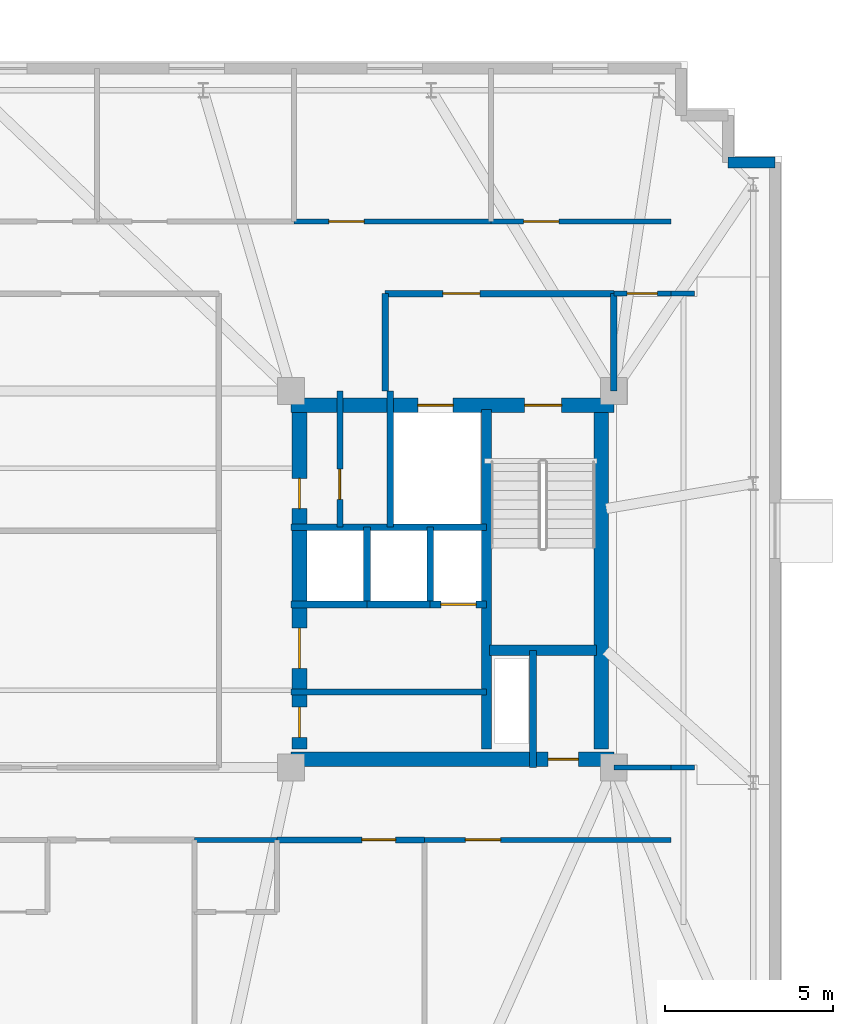
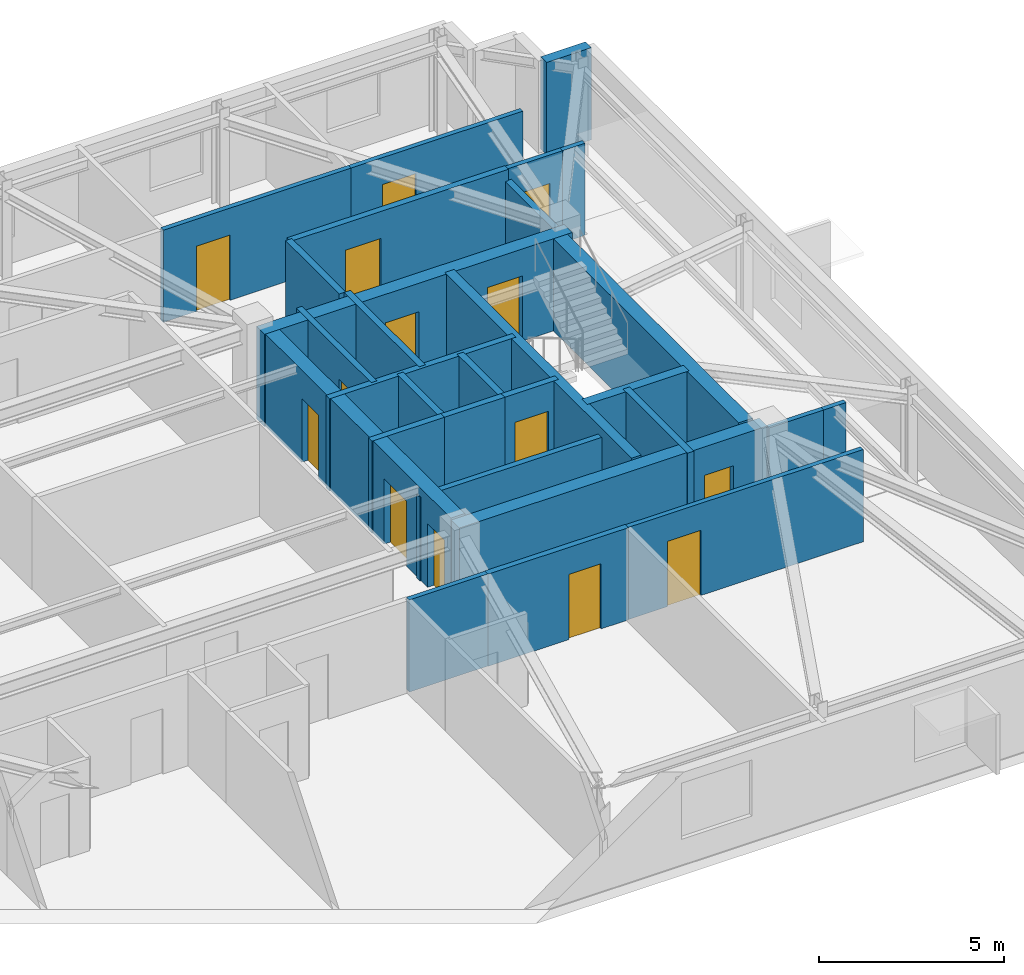
# One storey, part 8 of 12: 29 walls, 14 doors, 14 openings.
"""IFC4 building model written with IfcOpenShell, lengths in metres."""

from ifc_helpers import new_model, si_unit, direction, frame, frame_2d, origin, place, context, subcontext, project, spatial, rectangle, extrude, material, layer, layer_set, type_object, element, fill, save


model = new_model("IFC4")

# Units and contexts
model_context = context("Model", 3, precision=1e-05, world=origin(), true_north=direction((0.0, 1.0)))
body_context = subcontext(model_context, "Body", "Model", "MODEL_VIEW")
ifc_project = project(units=[si_unit("LENGTHUNIT", "METRE"), si_unit("AREAUNIT", "SQUARE_METRE"), si_unit("VOLUMEUNIT", "CUBIC_METRE"), si_unit("PLANEANGLEUNIT", "RADIAN"), si_unit("MASSUNIT", "GRAM", prefix="KILO")], contexts=[model_context])

# Site, building, storey
site_placement = place(None, origin())
site = spatial("IfcSite", under=ifc_project, at=site_placement, CompositionType="ELEMENT")
building_placement = place(site_placement, origin())
building = spatial("IfcBuilding", under=site, at=building_placement, Name="Qobustan Lattice House", CompositionType="ELEMENT")
storey_placement = place(building_placement, frame((0.0, 0.0, 241.699951171875)))
storey = spatial("IfcBuildingStorey", under=building, at=storey_placement, Name="L68", CompositionType="ELEMENT", Elevation=241.699951171875)

# Wall, openings, doors
ifc_material_1 = material(Name="Concrete C50/60", Category="concrete")
ifc_layer_1 = layer(ifc_material_1, 0.43994140625)
ifc_layer_set_1 = layer_set([ifc_layer_1], Name="Concrete C50/60")
wall_type_1 = type_object("IfcWallType", Name="WAL-CORE-440", PredefinedType="SHEAR", material=ifc_layer_set_1)
wall_1_placement = place(storey_placement, frame((9.199951171875, 5.179931640625, 0.0), z_axis=(0.0, 0.0, 1.0), x_axis=(1.0, 0.0, 0.0)))
wall_1 = element("IfcWall", 1, at=wall_1_placement, inside=storey, type_object=wall_type_1, Name="L68 split-core shear wall CE-N", PredefinedType="SHEAR", context=body_context, shape_type="SweptSolid", body=[
    extrude(rectangle(XDim=9.60009765625, YDim=0.43994140625, at=frame_2d((4.800048828125, 0.0))), origin(), (0.0, 0.0, 1.0), 3.0400390625),
])
opening_1_placement = place(wall_1_placement, frame((6.949951171875, 0.0, 0.0)))
opening_1 = element("IfcOpeningElement", 2, at=opening_1_placement, cuts=wall_1, Name="Opening SD-01", PredefinedType="OPENING", context=body_context, shape_type="SweptSolid", body=[
    extrude(rectangle(XDim=1.10009765625, YDim=2.14990234375, at=frame_2d((0.550048828125, 1.074951171875))), frame((0.0, 0.22998046875, 0.0), z_axis=(0.0, -1.0, 0.0), x_axis=(1.0, 0.0, 0.0)), (0.0, 0.0, 1.0), 0.4599609375),
])
opening_2_placement = place(wall_1_placement, frame((3.77490234375, 0.0, 0.0)))
opening_2 = element("IfcOpeningElement", 3, at=opening_2_placement, cuts=wall_1, Name="Opening LD-01", PredefinedType="OPENING", context=body_context, shape_type="SweptSolid", body=[
    extrude(rectangle(XDim=1.050048828125, YDim=2.10009765625, at=frame_2d((0.52490234375, 1.050048828125))), frame((0.0, 0.22998046875, 0.0), z_axis=(0.0, -1.0, 0.0), x_axis=(1.0, 0.0, 0.0)), (0.0, 0.0, 1.0), 0.4599609375),
])
ifc_material_2 = material(Name="Persian walnut timber and steel frame door", Category="steel")
door_type_1 = type_object("IfcDoorType", Name="DOR-LIFT-LD-1050x2100", OperationType="NOTDEFINED", PredefinedType="DOOR", material=ifc_material_2)
door_1_placement = place(opening_2_placement, origin())
door_1 = element("IfcDoor", 4, at=door_1_placement, inside=storey, type_object=door_type_1, Name="L68 firefighting lift FF-E landing door", OperationType="DOUBLE_DOOR_SLIDING", OverallHeight=2.10009765625, OverallWidth=1.050048828125, PredefinedType="DOOR", context=body_context, shape_type="SweptSolid", body=[
    extrude(rectangle(XDim=1.050048828125, YDim=2.10009765625, at=frame_2d((0.52490234375, 1.050048828125))), frame((0.0, 0.02490234375, 0.0), z_axis=(0.0, -1.0, 0.0), x_axis=(1.0, 0.0, 0.0)), (0.0, 0.0, 1.0), 0.050048828125),
])
fill(opening_2, door_1)
ifc_material_3 = material(Name="Persian walnut timber and steel frame door", Category="steel")
door_type_2 = type_object("IfcDoorType", Name="DOR-STAIR-FD-1100x2150", OperationType="NOTDEFINED", PredefinedType="DOOR", material=ifc_material_3)
door_2_placement = place(opening_1_placement, origin())
door_2 = element("IfcDoor", 5, at=door_2_placement, inside=storey, type_object=door_type_2, Name="L68 exit stair ST-E1 fire door", OperationType="SINGLE_SWING_LEFT", OverallHeight=2.14990234375, OverallWidth=1.10009765625, PredefinedType="DOOR", context=body_context, shape_type="SweptSolid", body=[
    extrude(rectangle(XDim=1.10009765625, YDim=2.14990234375, at=frame_2d((0.550048828125, 1.074951171875))), frame((0.0, 0.02490234375, 0.0), z_axis=(0.0, -1.0, 0.0), x_axis=(1.0, 0.0, 0.0)), (0.0, 0.0, 1.0), 0.050048828125),
])
fill(opening_1, door_2)

# Wall, opening, door
wall_2_placement = place(storey_placement, frame((9.199951171875, -5.35009765625, 0.0), z_axis=(0.0, 0.0, 1.0), x_axis=(1.0, 0.0, 0.0)))
wall_2 = element("IfcWall", 6, at=wall_2_placement, inside=storey, type_object=wall_type_1, Name="L68 split-core shear wall CE-S", PredefinedType="SHEAR", context=body_context, shape_type="SweptSolid", body=[
    extrude(rectangle(XDim=9.60009765625, YDim=0.43994140625, at=frame_2d((4.800048828125, 0.0))), origin(), (0.0, 0.0, 1.0), 3.0400390625),
])
opening_3_placement = place(wall_2_placement, frame((7.64990234375, 0.0, 0.0)))
opening_3 = element("IfcOpeningElement", 7, at=opening_3_placement, cuts=wall_2, Name="Opening RD-01", PredefinedType="OPENING", context=body_context, shape_type="SweptSolid", body=[
    extrude(rectangle(XDim=0.89990234375, YDim=2.10009765625, at=frame_2d((0.449951171875, 1.050048828125))), frame((0.0, 0.22998046875, 0.0), z_axis=(0.0, -1.0, 0.0), x_axis=(1.0, 0.0, 0.0)), (0.0, 0.0, 1.0), 0.4599609375),
])
ifc_material_4 = material(Name="Persian walnut timber and steel frame door", Category="steel")
door_type_3 = type_object("IfcDoorType", Name="DOR-RISER-FD-900x2100", OperationType="NOTDEFINED", PredefinedType="DOOR", material=ifc_material_4)
door_3_placement = place(opening_3_placement, origin())
door_3 = element("IfcDoor", 8, at=door_3_placement, inside=storey, type_object=door_type_3, Name="L68 core service riser access door E", OperationType="SINGLE_SWING_LEFT", OverallHeight=2.10009765625, OverallWidth=0.89990234375, PredefinedType="DOOR", context=body_context, shape_type="SweptSolid", body=[
    extrude(rectangle(XDim=0.89990234375, YDim=2.10009765625, at=frame_2d((0.449951171875, 1.050048828125))), frame((0.0, 0.02490234375, 0.0), z_axis=(0.0, -1.0, 0.0), x_axis=(1.0, 0.0, 0.0)), (0.0, 0.0, 1.0), 0.050048828125),
])
fill(opening_3, door_3)

# Wall, openings, doors
wall_3_placement = place(storey_placement, frame((9.449951171875, -5.050048828125, 0.0), z_axis=(0.0, 0.0, 1.0), x_axis=(0.0, 1.0, 0.0)))
wall_3 = element("IfcWall", 9, at=wall_3_placement, inside=storey, type_object=wall_type_1, Name="L68 split-core shear wall CE-W", PredefinedType="SHEAR", context=body_context, shape_type="SweptSolid", body=[
    extrude(rectangle(XDim=10.10009765625, YDim=0.43994140625, at=frame_2d((5.050048828125, 0.0))), origin(), (0.0, 0.0, 1.0), 3.0400390625),
])
opening_4_placement = place(wall_3_placement, frame((7.14990234375, 0.0, 0.0)))
opening_4 = element("IfcOpeningElement", 10, at=opening_4_placement, cuts=wall_3, Name="Opening RD-01", PredefinedType="OPENING", context=body_context, shape_type="SweptSolid", body=[
    extrude(rectangle(XDim=0.89990234375, YDim=2.10009765625, at=frame_2d((0.449951171875, 1.050048828125))), frame((0.0, 0.22998046875, 0.0), z_axis=(0.0, -1.0, 0.0), x_axis=(1.0, 0.0, 0.0)), (0.0, 0.0, 1.0), 0.4599609375),
])
opening_5_placement = place(wall_3_placement, frame((2.39990234375, 0.0, 0.0)))
opening_5 = element("IfcOpeningElement", 11, at=opening_5_placement, cuts=wall_3, Name="Opening FD-01", PredefinedType="OPENING", context=body_context, shape_type="SweptSolid", body=[
    extrude(rectangle(XDim=1.199951171875, YDim=2.14990234375, at=frame_2d((0.60009765625, 1.074951171875))), frame((0.0, 0.22998046875, 0.0), z_axis=(0.0, -1.0, 0.0), x_axis=(1.0, 0.0, 0.0)), (0.0, 0.0, 1.0), 0.4599609375),
])
opening_6_placement = place(wall_3_placement, frame((0.35009765625, 0.0, 0.0)))
opening_6 = element("IfcOpeningElement", 12, at=opening_6_placement, cuts=wall_3, Name="Opening RD-01", PredefinedType="OPENING", context=body_context, shape_type="SweptSolid", body=[
    extrude(rectangle(XDim=0.89990234375, YDim=2.10009765625, at=frame_2d((0.449951171875, 1.050048828125))), frame((0.0, 0.22998046875, 0.0), z_axis=(0.0, -1.0, 0.0), x_axis=(1.0, 0.0, 0.0)), (0.0, 0.0, 1.0), 0.4599609375),
])
ifc_material_5 = material(Name="Persian walnut timber and steel frame door", Category="steel")
door_type_4 = type_object("IfcDoorType", Name="DOR-LOBBY-FD-1200x2150", OperationType="NOTDEFINED", PredefinedType="DOOR", material=ifc_material_5)
door_4_placement = place(opening_5_placement, origin())
door_4 = element("IfcDoor", 13, at=door_4_placement, inside=storey, type_object=door_type_4, Name="L68 East passenger lift lobby fire door", OperationType="SINGLE_SWING_RIGHT", OverallHeight=2.14990234375, OverallWidth=1.199951171875, PredefinedType="DOOR", context=body_context, shape_type="SweptSolid", body=[
    extrude(rectangle(XDim=1.199951171875, YDim=2.14990234375, at=frame_2d((0.60009765625, 1.074951171875))), frame((0.0, 0.02490234375, 0.0), z_axis=(0.0, -1.0, 0.0), x_axis=(1.0, 0.0, 0.0)), (0.0, 0.0, 1.0), 0.050048828125),
])
fill(opening_5, door_4)
door_5_placement = place(opening_4_placement, origin())
door_5 = element("IfcDoor", 14, at=door_5_placement, inside=storey, type_object=door_type_3, Name="L68 Print and mail closet fire door", OperationType="SINGLE_SWING_LEFT", OverallHeight=2.10009765625, OverallWidth=0.89990234375, PredefinedType="DOOR", context=body_context, shape_type="SweptSolid", body=[
    extrude(rectangle(XDim=0.89990234375, YDim=2.10009765625, at=frame_2d((0.449951171875, 1.050048828125))), frame((0.0, 0.02490234375, 0.0), z_axis=(0.0, -1.0, 0.0), x_axis=(1.0, 0.0, 0.0)), (0.0, 0.0, 1.0), 0.050048828125),
])
fill(opening_4, door_5)
door_6_placement = place(opening_6_placement, origin())
door_6 = element("IfcDoor", 15, at=door_6_placement, inside=storey, type_object=door_type_3, Name="L68 Graduate seminar alcove fire door", OperationType="SINGLE_SWING_LEFT", OverallHeight=2.10009765625, OverallWidth=0.89990234375, PredefinedType="DOOR", context=body_context, shape_type="SweptSolid", body=[
    extrude(rectangle(XDim=0.89990234375, YDim=2.10009765625, at=frame_2d((0.449951171875, 1.050048828125))), frame((0.0, 0.02490234375, 0.0), z_axis=(0.0, -1.0, 0.0), x_axis=(1.0, 0.0, 0.0)), (0.0, 0.0, 1.0), 0.050048828125),
])
fill(opening_6, door_6)

# Walls
wall_4_placement = place(storey_placement, frame((18.429931640625, -5.050048828125, 0.0), z_axis=(0.0, 0.0, 1.0), x_axis=(0.0, 1.0, 0.0)))
element("IfcWall", 16, at=wall_4_placement, inside=storey, type_object=wall_type_1, Name="L68 split-core shear wall CE-E", PredefinedType="SHEAR", context=body_context, shape_type="SweptSolid", body=[
    extrude(rectangle(XDim=10.10009765625, YDim=0.43994140625, at=frame_2d((5.050048828125, 0.0))), origin(), (0.0, 0.0, 1.0), 3.0400390625),
])
ifc_material_6 = material(Name="Concrete C50/60", Category="concrete")
ifc_layer_2 = layer(ifc_material_6, 0.280029296875)
ifc_layer_set_2 = layer_set([ifc_layer_2], Name="Concrete C50/60")
wall_type_2 = type_object("IfcWallType", Name="WAL-CORE-SPINE-280", PredefinedType="SHEAR", material=ifc_layer_set_2)
wall_5_placement = place(storey_placement, frame((15.02001953125, -5.050048828125, 0.0), z_axis=(0.0, 0.0, 1.0), x_axis=(0.0, 1.0, 0.0)))
element("IfcWall", 17, at=wall_5_placement, inside=storey, type_object=wall_type_2, Name="L68 split-core shear wall CE-M", PredefinedType="SHEAR", context=body_context, shape_type="SweptSolid", body=[
    extrude(rectangle(XDim=10.10009765625, YDim=0.300048828125, at=frame_2d((5.050048828125, 0.0))), origin(), (0.0, 0.0, 1.0), 3.0400390625),
])
wall_6_placement = place(storey_placement, frame((15.10009765625, -2.110107421875, 0.0), z_axis=(0.0, 0.0, 1.0), x_axis=(1.0, 0.0, 0.0)))
element("IfcWall", 18, at=wall_6_placement, inside=storey, type_object=wall_type_2, Name="L68 split-core shear wall CE-ST", PredefinedType="SHEAR", context=body_context, shape_type="SweptSolid", body=[
    extrude(rectangle(XDim=3.179931640625, YDim=0.300048828125, at=frame_2d((1.58984375, 0.0))), origin(), (0.0, 0.0, 1.0), 3.0400390625),
])
ifc_material_7 = material(Name="Precast concrete C40/50", Category="concrete")
ifc_layer_3 = layer(ifc_material_7, 0.320068359375)
ifc_layer_set_3 = layer_set([ifc_layer_3], Name="Precast concrete C40/50")
wall_type_3 = type_object("IfcWallType", Name="WAL-EXT-STONE-320", PredefinedType="SOLIDWALL", material=ifc_layer_set_3)
wall_7_placement = place(storey_placement, frame((22.199951171875, 12.39990234375, 0.0), z_axis=(0.0, 0.0, 1.0), x_axis=(1.0, 0.0, 0.0)))
element("IfcWall", 19, at=wall_7_placement, inside=storey, type_object=wall_type_3, Name="L68 exterior limestone-clad wall 14", PredefinedType="SOLIDWALL", context=body_context, shape_type="SweptSolid", body=[
    extrude(rectangle(XDim=1.400146484375, YDim=0.320068359375, at=frame_2d((0.7001953125, 0.0))), origin(), (0.0, 0.0, 1.0), 3.0400390625),
])

# Wall, opening, door
ifc_material_8 = material(Name="Gypsum fireboard acoustic partition", Category="gypsum")
ifc_layer_4 = layer(ifc_material_8, 0.179931640625)
ifc_layer_set_4 = layer_set([ifc_layer_4], Name="Gypsum fireboard acoustic partition")
wall_type_4 = type_object("IfcWallType", Name="WAL-FIRE-180", PredefinedType="PARTITIONING", material=ifc_layer_set_4)
wall_8_placement = place(storey_placement, frame((10.64990234375, 1.550048828125, 0.0), z_axis=(0.0, 0.0, 1.0), x_axis=(0.0, 1.0, 0.0)))
wall_8 = element("IfcWall", 20, at=wall_8_placement, inside=storey, type_object=wall_type_4, Name="L68 interior partition 18", PredefinedType="PARTITIONING", context=body_context, shape_type="SweptSolid", body=[
    extrude(rectangle(XDim=4.050048828125, YDim=0.179931640625, at=frame_2d((2.02490234375, 0.0))), origin(), (0.0, 0.0, 1.0), 3.0400390625),
])
opening_7_placement = place(wall_8_placement, frame((0.828857421875, 0.0, 0.0)))
opening_7 = element("IfcOpeningElement", 21, at=opening_7_placement, cuts=wall_8, Name="Opening RD-01", PredefinedType="OPENING", context=body_context, shape_type="SweptSolid", body=[
    extrude(rectangle(XDim=0.89990234375, YDim=2.10009765625, at=frame_2d((0.449951171875, 1.050048828125))), frame((0.0, 0.099853515625, 0.0), z_axis=(0.0, -1.0, 0.0), x_axis=(1.0, 0.0, 0.0)), (0.0, 0.0, 1.0), 0.199951171875),
])
door_7_placement = place(opening_7_placement, origin())
door_7 = element("IfcDoor", 22, at=door_7_placement, inside=storey, type_object=door_type_3, Name="L68 Print and mail closet to Core utility store door", OperationType="SINGLE_SWING_RIGHT", OverallHeight=2.10009765625, OverallWidth=0.89990234375, PredefinedType="DOOR", context=body_context, shape_type="SweptSolid", body=[
    extrude(rectangle(XDim=0.89990234375, YDim=2.10009765625, at=frame_2d((0.449951171875, 1.050048828125))), frame((0.0, 0.02490234375, 0.0), z_axis=(0.0, -1.0, 0.0), x_axis=(1.0, 0.0, 0.0)), (0.0, 0.0, 1.0), 0.050048828125),
])
fill(opening_7, door_7)

# Wall
wall_9_placement = place(storey_placement, frame((9.199951171875, -3.35009765625, 0.0), z_axis=(0.0, 0.0, 1.0), x_axis=(1.0, 0.0, 0.0)))
element("IfcWall", 23, at=wall_9_placement, inside=storey, type_object=wall_type_4, Name="L68 interior partition 20", PredefinedType="PARTITIONING", context=body_context, shape_type="SweptSolid", body=[
    extrude(rectangle(XDim=5.820068359375, YDim=0.179931640625, at=frame_2d((2.91015625, 0.0))), origin(), (0.0, 0.0, 1.0), 2.755126953125),
])

# Wall, opening, door
wall_10_placement = place(storey_placement, frame((13.1669921875, -7.75, 0.0), z_axis=(0.0, 0.0, 1.0), x_axis=(-1.0, 0.0, 0.0)))
wall_10 = element("IfcWall", 24, at=wall_10_placement, inside=storey, type_object=wall_type_4, Name="L68 interior partition 56", PredefinedType="PARTITIONING", context=body_context, shape_type="SweptSolid", body=[
    extrude(rectangle(XDim=4.384033203125, YDim=0.179931640625, at=frame_2d((2.19189453125, 0.0))), origin(), (0.0, 0.0, 1.0), 3.0400390625),
])
opening_8_placement = place(wall_10_placement, frame((0.85791015625, 0.0, 0.0)))
opening_8 = element("IfcOpeningElement", 25, at=opening_8_placement, cuts=wall_10, Name="Opening FD-02", PredefinedType="OPENING", context=body_context, shape_type="SweptSolid", body=[
    extrude(rectangle(XDim=1.0, YDim=2.14990234375, at=frame_2d((0.5, 1.074951171875))), frame((0.0, 0.099853515625, 0.0), z_axis=(0.0, -1.0, 0.0), x_axis=(1.0, 0.0, 0.0)), (0.0, 0.0, 1.0), 0.199951171875),
])
ifc_material_9 = material(Name="Persian walnut timber and steel frame door", Category="steel")
door_type_5 = type_object("IfcDoorType", Name="DOR-UNIT-FD-1000x2150", OperationType="NOTDEFINED", PredefinedType="DOOR", material=ifc_material_9)
door_8_placement = place(opening_8_placement, origin())
door_8 = element("IfcDoor", 26, at=door_8_placement, inside=storey, type_object=door_type_5, Name="L68 South-east floor corridor to Kitchenette and studio apartment L68-S5 door", OperationType="SINGLE_SWING_LEFT", OverallHeight=2.14990234375, OverallWidth=1.0, PredefinedType="DOOR", context=body_context, shape_type="SweptSolid", body=[
    extrude(rectangle(XDim=1.0, YDim=2.14990234375, at=frame_2d((0.5, 1.074951171875))), frame((0.0, 0.02490234375, 0.0), z_axis=(0.0, -1.0, 0.0), x_axis=(1.0, 0.0, 0.0)), (0.0, 0.0, 1.0), 0.050048828125),
])
fill(opening_8, door_8)

ifc_material_10 = material(Name="Acoustic twin-stud gypsum partition", Category="gypsum")
ifc_layer_5 = layer(ifc_material_10, 0.14990234375)
ifc_layer_set_5 = layer_set([ifc_layer_5], Name="Acoustic twin-stud gypsum partition")
wall_type_5 = type_object("IfcWallType", Name="WAL-PART-150", PredefinedType="PARTITIONING", material=ifc_layer_set_5)
wall_11_placement = place(storey_placement, frame((20.5, 8.5, 0.0), z_axis=(0.0, 0.0, 1.0), x_axis=(-1.0, 0.0, 0.0)))
wall_11 = element("IfcWall", 27, at=wall_11_placement, inside=storey, type_object=wall_type_5, Name="L68 interior partition 36", PredefinedType="PARTITIONING", context=body_context, shape_type="SweptSolid", body=[
    extrude(rectangle(XDim=1.699951171875, YDim=0.14990234375, at=frame_2d((0.85009765625, 0.0))), origin(), (0.0, 0.0, 1.0), 3.0400390625),
])
opening_9_placement = place(wall_11_placement, frame((0.39990234375, 0.0, 0.0)))
opening_9 = element("IfcOpeningElement", 28, at=opening_9_placement, cuts=wall_11, Name="Opening WD-01", PredefinedType="OPENING", context=body_context, shape_type="SweptSolid", body=[
    extrude(rectangle(XDim=0.89990234375, YDim=2.10009765625, at=frame_2d((0.449951171875, 1.050048828125))), frame((0.0, 0.0849609375, 0.0), z_axis=(0.0, -1.0, 0.0), x_axis=(1.0, 0.0, 0.0)), (0.0, 0.0, 1.0), 0.169921875),
])
ifc_material_11 = material(Name="Persian walnut timber and steel frame door", Category="steel")
door_type_6 = type_object("IfcDoorType", Name="DOR-WET-900x2100", OperationType="NOTDEFINED", PredefinedType="DOOR", material=ifc_material_11)
door_9_placement = place(opening_9_placement, origin())
door_9 = element("IfcDoor", 29, at=door_9_placement, inside=storey, type_object=door_type_6, Name="L68 North-east floor corridor to Communal study lounge door", OperationType="SINGLE_SWING_LEFT", OverallHeight=2.10009765625, OverallWidth=0.89990234375, PredefinedType="DOOR", context=body_context, shape_type="SweptSolid", body=[
    extrude(rectangle(XDim=0.89990234375, YDim=2.10009765625, at=frame_2d((0.449951171875, 1.050048828125))), frame((0.0, 0.02490234375, 0.0), z_axis=(0.0, -1.0, 0.0), x_axis=(1.0, 0.0, 0.0)), (0.0, 0.0, 1.0), 0.050048828125),
])
fill(opening_9, door_9)

# Wall
wall_12_placement = place(storey_placement, frame((21.199951171875, 8.5, 0.0), z_axis=(0.0, 0.0, 1.0), x_axis=(-1.0, 0.0, 0.0)))
element("IfcWall", 30, at=wall_12_placement, inside=storey, type_object=wall_type_5, Name="L68 interior partition 37", PredefinedType="PARTITIONING", context=body_context, shape_type="SweptSolid", body=[
    extrude(rectangle(XDim=0.699951171875, YDim=0.14990234375, at=frame_2d((0.35009765625, 0.0))), origin(), (0.0, 0.0, 1.0), 3.0400390625),
])

# Wall, opening, door
wall_13_placement = place(storey_placement, frame((9.285888671875, 10.64990234375, 0.0), z_axis=(0.0, 0.0, 1.0), x_axis=(1.0, 0.0, 0.0)))
wall_13 = element("IfcWall", 31, at=wall_13_placement, inside=storey, type_object=wall_type_5, Name="L68 interior partition 40", PredefinedType="PARTITIONING", context=body_context, shape_type="SweptSolid", body=[
    extrude(rectangle(XDim=5.857177734375, YDim=0.14990234375, at=frame_2d((2.9287109375, 0.0))), origin(), (0.0, 0.0, 1.0), 3.0400390625),
])
opening_10_placement = place(wall_13_placement, frame((1.035888671875, 0.0, 0.0)))
opening_10 = element("IfcOpeningElement", 32, at=opening_10_placement, cuts=wall_13, Name="Opening ID-02", PredefinedType="OPENING", context=body_context, shape_type="SweptSolid", body=[
    extrude(rectangle(XDim=1.050048828125, YDim=2.14990234375, at=frame_2d((0.52490234375, 1.074951171875))), frame((0.0, 0.0849609375, 0.0), z_axis=(0.0, -1.0, 0.0), x_axis=(1.0, 0.0, 0.0)), (0.0, 0.0, 1.0), 0.169921875),
])
ifc_material_12 = material(Name="Persian walnut timber and steel frame door", Category="steel")
door_type_7 = type_object("IfcDoorType", Name="DOR-STUDY-1050x2150", OperationType="NOTDEFINED", PredefinedType="DOOR", material=ifc_material_12)
door_10_placement = place(opening_10_placement, origin())
door_10 = element("IfcDoor", 33, at=door_10_placement, inside=storey, type_object=door_type_7, Name="L68 North-east floor corridor to Focus study room N6 door", OperationType="SINGLE_SWING_RIGHT", OverallHeight=2.14990234375, OverallWidth=1.050048828125, PredefinedType="DOOR", context=body_context, shape_type="SweptSolid", body=[
    extrude(rectangle(XDim=1.050048828125, YDim=2.14990234375, at=frame_2d((0.52490234375, 1.074951171875))), frame((0.0, 0.02490234375, 0.0), z_axis=(0.0, -1.0, 0.0), x_axis=(1.0, 0.0, 0.0)), (0.0, 0.0, 1.0), 0.050048828125),
])
fill(opening_10, door_10)

wall_14_placement = place(storey_placement, frame((15.14306640625, 10.64990234375, 0.0), z_axis=(0.0, 0.0, 1.0), x_axis=(1.0, 0.0, 0.0)))
wall_14 = element("IfcWall", 34, at=wall_14_placement, inside=storey, type_object=wall_type_5, Name="L68 interior partition 41", PredefinedType="PARTITIONING", context=body_context, shape_type="SweptSolid", body=[
    extrude(rectangle(XDim=5.35693359375, YDim=0.14990234375, at=frame_2d((2.678466796875, 0.0))), origin(), (0.0, 0.0, 1.0), 3.0400390625),
])
opening_11_placement = place(wall_14_placement, frame((0.973388671875, 0.0, 0.0)))
opening_11 = element("IfcOpeningElement", 35, at=opening_11_placement, cuts=wall_14, Name="Opening ID-02", PredefinedType="OPENING", context=body_context, shape_type="SweptSolid", body=[
    extrude(rectangle(XDim=1.050048828125, YDim=2.14990234375, at=frame_2d((0.52490234375, 1.074951171875))), frame((0.0, 0.0849609375, 0.0), z_axis=(0.0, -1.0, 0.0), x_axis=(1.0, 0.0, 0.0)), (0.0, 0.0, 1.0), 0.169921875),
])
door_11_placement = place(opening_11_placement, origin())
door_11 = element("IfcDoor", 36, at=door_11_placement, inside=storey, type_object=door_type_7, Name="L68 North-east floor corridor to Focus study room N7 door", OperationType="SINGLE_SWING_LEFT", OverallHeight=2.14990234375, OverallWidth=1.050048828125, PredefinedType="DOOR", context=body_context, shape_type="SweptSolid", body=[
    extrude(rectangle(XDim=1.050048828125, YDim=2.14990234375, at=frame_2d((0.52490234375, 1.074951171875))), frame((0.0, 0.02490234375, 0.0), z_axis=(0.0, -1.0, 0.0), x_axis=(1.0, 0.0, 0.0)), (0.0, 0.0, 1.0), 0.050048828125),
])
fill(opening_11, door_11)

# Walls
wall_15_placement = place(storey_placement, frame((18.800048828125, -5.60009765625, 0.0), z_axis=(0.0, 0.0, 1.0), x_axis=(1.0, 0.0, 0.0)))
element("IfcWall", 37, at=wall_15_placement, inside=storey, type_object=wall_type_5, Name="L68 interior partition 52", PredefinedType="PARTITIONING", context=body_context, shape_type="SweptSolid", body=[
    extrude(rectangle(XDim=1.699951171875, YDim=0.14990234375, at=frame_2d((0.85009765625, 0.0))), origin(), (0.0, 0.0, 1.0), 3.0400390625),
])
wall_16_placement = place(storey_placement, frame((20.5, -5.60009765625, 0.0), z_axis=(0.0, 0.0, 1.0), x_axis=(1.0, 0.0, 0.0)))
element("IfcWall", 38, at=wall_16_placement, inside=storey, type_object=wall_type_5, Name="L68 interior partition 53", PredefinedType="PARTITIONING", context=body_context, shape_type="SweptSolid", body=[
    extrude(rectangle(XDim=0.699951171875, YDim=0.14990234375, at=frame_2d((0.35009765625, 0.0))), origin(), (0.0, 0.0, 1.0), 3.0400390625),
])

# Wall, opening, door
wall_17_placement = place(storey_placement, frame((20.5, -7.75, 0.0), z_axis=(0.0, 0.0, 1.0), x_axis=(-1.0, 0.0, 0.0)))
wall_17 = element("IfcWall", 39, at=wall_17_placement, inside=storey, type_object=wall_type_5, Name="L68 interior partition 58", PredefinedType="PARTITIONING", context=body_context, shape_type="SweptSolid", body=[
    extrude(rectangle(XDim=7.3330078125, YDim=0.14990234375, at=frame_2d((3.66650390625, 0.0))), origin(), (0.0, 0.0, 1.0), 3.0400390625),
])
opening_12_placement = place(wall_17_placement, frame((5.0625, 0.0, 0.0)))
opening_12 = element("IfcOpeningElement", 40, at=opening_12_placement, cuts=wall_17, Name="Opening ID-02", PredefinedType="OPENING", context=body_context, shape_type="SweptSolid", body=[
    extrude(rectangle(XDim=1.050048828125, YDim=2.14990234375, at=frame_2d((0.52490234375, 1.074951171875))), frame((0.0, 0.0849609375, 0.0), z_axis=(0.0, -1.0, 0.0), x_axis=(1.0, 0.0, 0.0)), (0.0, 0.0, 1.0), 0.169921875),
])
door_12_placement = place(opening_12_placement, origin())
door_12 = element("IfcDoor", 41, at=door_12_placement, inside=storey, type_object=door_type_7, Name="L68 South-east floor corridor to Group study room door", OperationType="SINGLE_SWING_RIGHT", OverallHeight=2.14990234375, OverallWidth=1.050048828125, PredefinedType="DOOR", context=body_context, shape_type="SweptSolid", body=[
    extrude(rectangle(XDim=1.050048828125, YDim=2.14990234375, at=frame_2d((0.52490234375, 1.074951171875))), frame((0.0, 0.02490234375, 0.0), z_axis=(0.0, -1.0, 0.0), x_axis=(1.0, 0.0, 0.0)), (0.0, 0.0, 1.0), 0.050048828125),
])
fill(opening_12, door_12)

ifc_material_13 = material(Name="Two-hour gypsum fireboard acoustic partition", Category="gypsum")
ifc_layer_6 = layer(ifc_material_13, 0.199951171875)
ifc_layer_set_6 = layer_set([ifc_layer_6], Name="Two-hour gypsum fireboard acoustic partition")
wall_type_6 = type_object("IfcWallType", Name="WAL-PROT-200", PredefinedType="PARTITIONING", material=ifc_layer_set_6)
wall_18_placement = place(storey_placement, frame((18.800048828125, 8.5, 0.0), z_axis=(0.0, 0.0, 1.0), x_axis=(-1.0, 0.0, 0.0)))
wall_18 = element("IfcWall", 42, at=wall_18_placement, inside=storey, type_object=wall_type_6, Name="L68 interior partition 15", PredefinedType="PARTITIONING", context=body_context, shape_type="SweptSolid", body=[
    extrude(rectangle(XDim=6.800048828125, YDim=0.199951171875, at=frame_2d((3.39990234375, 0.0))), origin(), (0.0, 0.0, 1.0), 3.0400390625),
])
opening_13_placement = place(wall_18_placement, frame((3.985107421875, 0.0, 0.0)))
opening_13 = element("IfcOpeningElement", 43, at=opening_13_placement, cuts=wall_18, Name="Opening SD-01", PredefinedType="OPENING", context=body_context, shape_type="SweptSolid", body=[
    extrude(rectangle(XDim=1.10009765625, YDim=2.14990234375, at=frame_2d((0.550048828125, 1.074951171875))), frame((0.0, 0.10986328125, 0.0), z_axis=(0.0, -1.0, 0.0), x_axis=(1.0, 0.0, 0.0)), (0.0, 0.0, 1.0), 0.219970703125),
])
door_13_placement = place(opening_13_placement, origin())
door_13 = element("IfcDoor", 44, at=door_13_placement, inside=storey, type_object=door_type_2, Name="L68 East firefighting lift lobby to North-east floor corridor door", OperationType="SINGLE_SWING_LEFT", OverallHeight=2.14990234375, OverallWidth=1.10009765625, PredefinedType="DOOR", context=body_context, shape_type="SweptSolid", body=[
    extrude(rectangle(XDim=1.10009765625, YDim=2.14990234375, at=frame_2d((0.550048828125, 1.074951171875))), frame((0.0, 0.02490234375, 0.0), z_axis=(0.0, -1.0, 0.0), x_axis=(1.0, 0.0, 0.0)), (0.0, 0.0, 1.0), 0.050048828125),
])
fill(opening_13, door_13)

# Walls
wall_19_placement = place(storey_placement, frame((12.0, 8.5, 0.0), z_axis=(0.0, 0.0, 1.0), x_axis=(0.0, -1.0, 0.0)))
element("IfcWall", 45, at=wall_19_placement, inside=storey, type_object=wall_type_6, Name="L68 interior partition 16", PredefinedType="PARTITIONING", context=body_context, shape_type="SweptSolid", body=[
    extrude(rectangle(XDim=2.89990234375, YDim=0.199951171875, at=frame_2d((1.449951171875, 0.0))), origin(), (0.0, 0.0, 1.0), 3.0400390625),
])
wall_20_placement = place(storey_placement, frame((18.800048828125, 5.60009765625, 0.0), z_axis=(0.0, 0.0, 1.0), x_axis=(0.0, 1.0, 0.0)))
element("IfcWall", 46, at=wall_20_placement, inside=storey, type_object=wall_type_6, Name="L68 interior partition 17", PredefinedType="PARTITIONING", context=body_context, shape_type="SweptSolid", body=[
    extrude(rectangle(XDim=2.89990234375, YDim=0.199951171875, at=frame_2d((1.449951171875, 0.0))), origin(), (0.0, 0.0, 1.0), 2.6650390625),
])
ifc_material_14 = material(Name="Concrete C40/50", Category="concrete")
ifc_layer_7 = layer(ifc_material_14, 0.199951171875)
ifc_layer_set_7 = layer_set([ifc_layer_7], Name="Concrete C40/50")
wall_type_7 = type_object("IfcWallType", Name="WAL-SHAFT-200", PredefinedType="PARTITIONING", material=ifc_layer_set_7)
wall_21_placement = place(storey_placement, frame((16.39990234375, -2.110107421875, 0.0), z_axis=(0.0, 0.0, 1.0), x_axis=(0.0, -1.0, 0.0)))
element("IfcWall", 47, at=wall_21_placement, inside=storey, type_object=wall_type_7, Name="L68 interior partition 13", PredefinedType="PARTITIONING", context=body_context, shape_type="SweptSolid", body=[
    extrude(rectangle(XDim=3.489990234375, YDim=0.199951171875, at=frame_2d((1.7451171875, 0.0))), origin(), (0.0, 0.0, 1.0), 3.0400390625),
])
wall_22_placement = place(storey_placement, frame((12.14990234375, 5.60009765625, 0.0), z_axis=(0.0, 0.0, 1.0), x_axis=(0.0, -1.0, 0.0)))
element("IfcWall", 48, at=wall_22_placement, inside=storey, type_object=wall_type_7, Name="L68 interior partition 14", PredefinedType="PARTITIONING", context=body_context, shape_type="SweptSolid", body=[
    extrude(rectangle(XDim=4.050048828125, YDim=0.199951171875, at=frame_2d((2.02490234375, 0.0))), origin(), (0.0, 0.0, 1.0), 3.0400390625),
])
wall_23_placement = place(storey_placement, frame((11.4599609375, -0.75, 0.0), z_axis=(0.0, 0.0, 1.0), x_axis=(-1.0, 0.0, 0.0)))
element("IfcWall", 49, at=wall_23_placement, inside=storey, type_object=wall_type_7, Name="L68 interior partition 21", PredefinedType="PARTITIONING", context=body_context, shape_type="SweptSolid", body=[
    extrude(rectangle(XDim=2.260009765625, YDim=0.199951171875, at=frame_2d((1.1298828125, 0.0))), origin(), (0.0, 0.0, 1.0), 3.0400390625),
])
wall_24_placement = place(storey_placement, frame((13.340087890625, -0.75, 0.0), z_axis=(0.0, 0.0, 1.0), x_axis=(-1.0, 0.0, 0.0)))
element("IfcWall", 50, at=wall_24_placement, inside=storey, type_object=wall_type_7, Name="L68 interior partition 22", PredefinedType="PARTITIONING", context=body_context, shape_type="SweptSolid", body=[
    extrude(rectangle(XDim=1.880126953125, YDim=0.199951171875, at=frame_2d((0.93994140625, 0.0))), origin(), (0.0, 0.0, 1.0), 3.0400390625),
])

# Wall, opening, door
wall_25_placement = place(storey_placement, frame((15.02001953125, -0.75, 0.0), z_axis=(0.0, 0.0, 1.0), x_axis=(-1.0, 0.0, 0.0)))
wall_25 = element("IfcWall", 51, at=wall_25_placement, inside=storey, type_object=wall_type_7, Name="L68 interior partition 23", PredefinedType="PARTITIONING", context=body_context, shape_type="SweptSolid", body=[
    extrude(rectangle(XDim=1.679931640625, YDim=0.199951171875, at=frame_2d((0.83984375, 0.0))), origin(), (0.0, 0.0, 1.0), 3.0400390625),
])
opening_14_placement = place(wall_25_placement, frame((0.31494140625, 0.0, 0.0)))
opening_14 = element("IfcOpeningElement", 52, at=opening_14_placement, cuts=wall_25, Name="Opening LD-01", PredefinedType="OPENING", context=body_context, shape_type="SweptSolid", body=[
    extrude(rectangle(XDim=1.050048828125, YDim=2.10009765625, at=frame_2d((0.52490234375, 1.050048828125))), frame((0.0, 0.10986328125, 0.0), z_axis=(0.0, -1.0, 0.0), x_axis=(1.0, 0.0, 0.0)), (0.0, 0.0, 1.0), 0.219970703125),
])
door_14_placement = place(opening_14_placement, origin())
door_14 = element("IfcDoor", 53, at=door_14_placement, inside=storey, type_object=door_type_1, Name="L68 lift landing door", OperationType="DOUBLE_DOOR_SLIDING", OverallHeight=2.10009765625, OverallWidth=1.050048828125, PredefinedType="DOOR", context=body_context, shape_type="SweptSolid", body=[
    extrude(rectangle(XDim=1.050048828125, YDim=2.10009765625, at=frame_2d((0.52490234375, 1.050048828125))), frame((0.0, 0.02490234375, 0.0), z_axis=(0.0, -1.0, 0.0), x_axis=(1.0, 0.0, 0.0)), (0.0, 0.0, 1.0), 0.050048828125),
])
fill(opening_14, door_14)

# Walls
for number, where, z_axis, x_axis, name in (
    (54, (11.4599609375, -0.75, 0.0), (0.0, 0.0, 1.0), (0.0, 1.0, 0.0), "L68 interior partition 26"),
    (55, (13.340087890625, -0.75, 0.0), (0.0, 0.0, 1.0), (0.0, 1.0, 0.0), "L68 interior partition 27"),
):
    element("IfcWall", number, at=place(storey_placement, frame(where, z_axis=z_axis, x_axis=x_axis)), inside=storey, type_object=wall_type_7, Name=name, PredefinedType="PARTITIONING", context=body_context, shape_type="SweptSolid", body=[
        extrude(rectangle(XDim=2.300048828125, YDim=0.199951171875, at=frame_2d((1.14990234375, 0.0))), origin(), (0.0, 0.0, 1.0), 3.0400390625),
    ])
wall_26_placement = place(storey_placement, frame((9.199951171875, 1.550048828125, 0.0), z_axis=(0.0, 0.0, 1.0), x_axis=(1.0, 0.0, 0.0)))
element("IfcWall", 56, at=wall_26_placement, inside=storey, type_object=wall_type_7, Name="L68 interior partition 100", PredefinedType="PARTITIONING", context=body_context, shape_type="SweptSolid", body=[
    extrude(rectangle(XDim=5.820068359375, YDim=0.199951171875, at=frame_2d((2.91015625, 0.0))), origin(), (0.0, 0.0, 1.0), 3.0400390625),
])
ifc_material_15 = material(Name="Moisture-resistant acoustic plumbing wall", Category="gypsum")
ifc_layer_8 = layer(ifc_material_15, 0.14990234375)
ifc_layer_set_8 = layer_set([ifc_layer_8], Name="Moisture-resistant acoustic plumbing wall")
wall_type_8 = type_object("IfcWallType", Name="WAL-WET-150", PredefinedType="PLUMBINGWALL", material=ifc_layer_set_8)
wall_27_placement = place(storey_placement, frame((8.782958984375, -7.75, 0.0), z_axis=(0.0, 0.0, 1.0), x_axis=(-1.0, 0.0, 0.0)))
element("IfcWall", 57, at=wall_27_placement, inside=storey, type_object=wall_type_8, Name="L68 interior partition 57", PredefinedType="PLUMBINGWALL", context=body_context, shape_type="SweptSolid", body=[
    extrude(rectangle(XDim=2.449951171875, YDim=0.14990234375, at=frame_2d((1.22509765625, 0.0))), origin(), (0.0, 0.0, 1.0), 3.0400390625),
])

save(model, "model.ifc")
